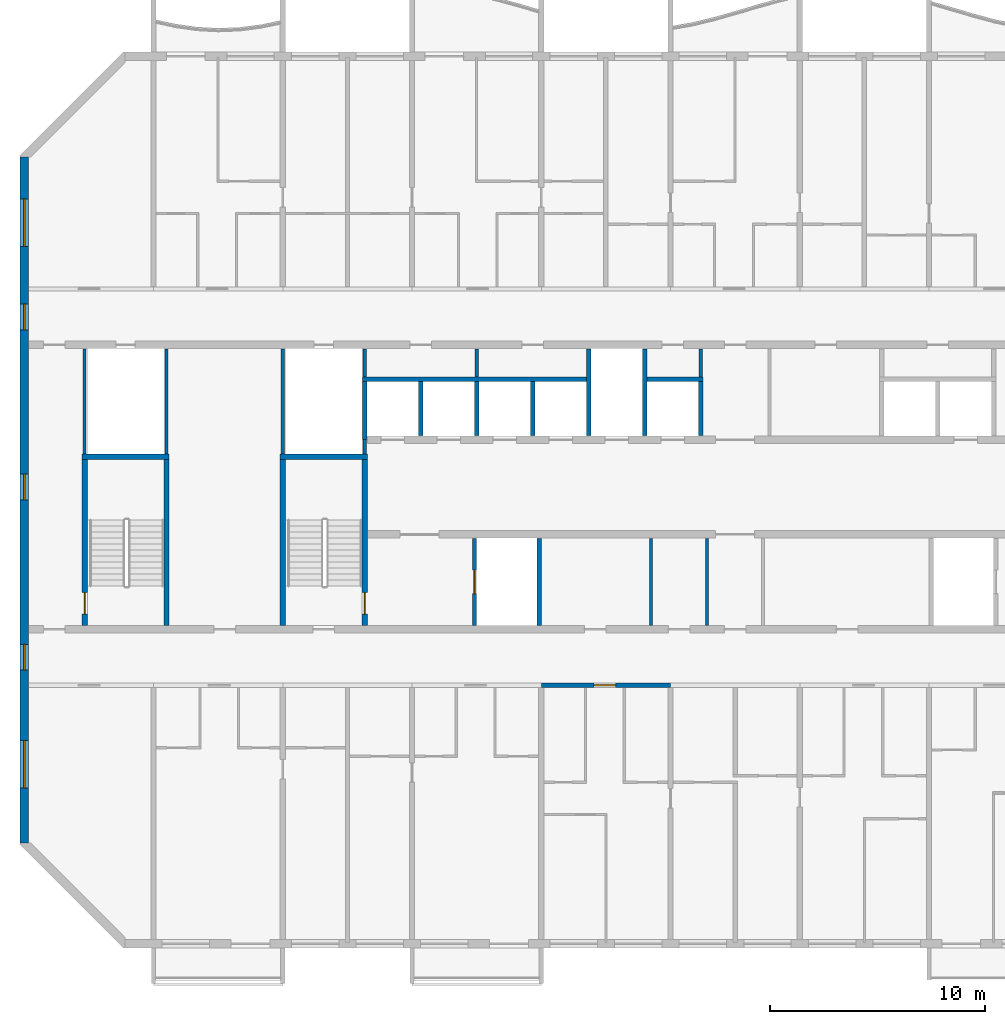
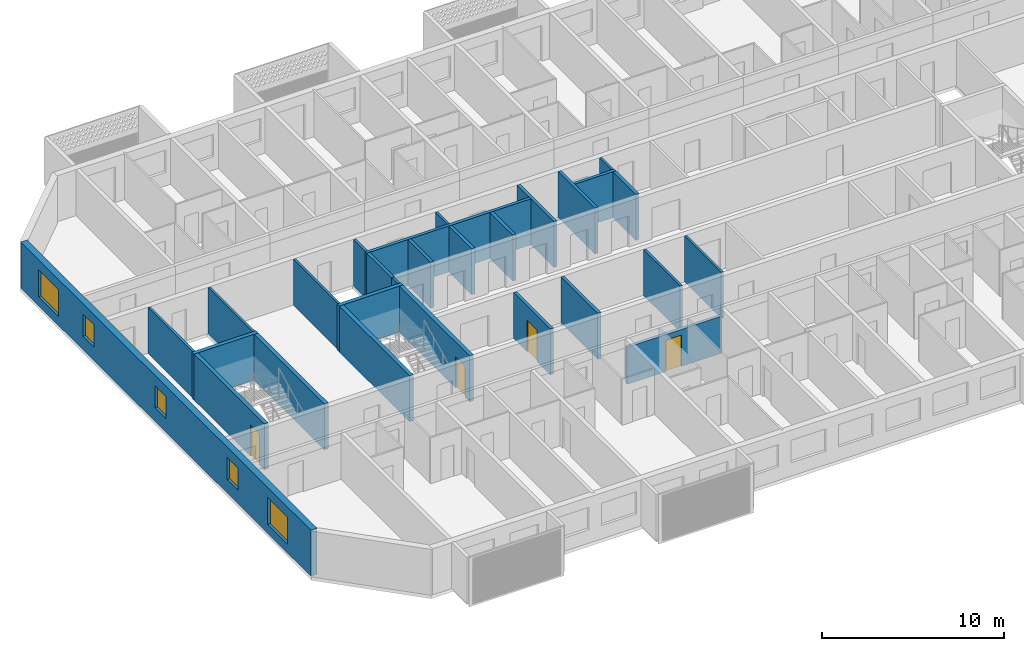
# One storey, part 3 of 26: 28 walls, 5 windows, 4 doors, 9 openings.
"""IFC4 building model written with IfcOpenShell, lengths in metres."""

from ifc_helpers import new_model, si_unit, direction, frame, frame_2d, origin, place, context, subcontext, project, spatial, rectangle, extrude, material, layer, layer_set, type_object, element, fill, save


model = new_model("IFC4")

# Units and contexts
model_context = context("Model", 3, precision=1e-05, world=origin(), true_north=direction((0.0, 1.0)))
body_context = subcontext(model_context, "Body", "Model", "MODEL_VIEW")
ifc_project = project(units=[si_unit("LENGTHUNIT", "METRE"), si_unit("AREAUNIT", "SQUARE_METRE"), si_unit("VOLUMEUNIT", "CUBIC_METRE"), si_unit("PLANEANGLEUNIT", "RADIAN"), si_unit("MASSUNIT", "GRAM", prefix="KILO")], contexts=[model_context])

# Site, building, storey
site_placement = place(None, origin())
site = spatial("IfcSite", under=ifc_project, at=site_placement, CompositionType="ELEMENT")
building_placement = place(site_placement, origin())
building = spatial("IfcBuilding", under=site, at=building_placement, Name="Poui Terraces", CompositionType="ELEMENT")
storey_placement = place(building_placement, frame((0.0, 0.0, 244.5)))
storey = spatial("IfcBuildingStorey", under=building, at=storey_placement, Name="L68", CompositionType="ELEMENT", Elevation=244.5)

# Walls
ifc_material_1 = material(Name="Fire-rated plasterboard wall")
ifc_layer_1 = layer(ifc_material_1, 0.14990234375)
ifc_layer_set_1 = layer_set([ifc_layer_1], Name="Fire-rated plasterboard wall")
wall_type_1 = type_object("IfcWallType", Name="CORRIDOR WALL 150", PredefinedType="PARTITIONING", material=ifc_layer_set_1)
wall_1_placement = place(storey_placement, frame((49.39990234375, 26.300048828125, 0.0), z_axis=(0.0, 0.0, 1.0), x_axis=(0.0, 1.0, 0.0)))
element("IfcWall", 1, at=wall_1_placement, inside=storey, type_object=wall_type_1, Name="CORRIDOR WALL 150", PredefinedType="PARTITIONING", context=body_context, shape_type="SweptSolid", body=[
    extrude(rectangle(XDim=1.31494140625, YDim=0.14990234375, at=frame_2d((0.657470703125, 0.0))), origin(), (0.0, 0.0, 1.0), 3.080078125),
])
wall_2_placement = place(storey_placement, frame((49.699951171875, 14.784912109375, 0.0), z_axis=(0.0, 0.0, 1.0), x_axis=(0.0, 1.0, 0.0)))
element("IfcWall", 2, at=wall_2_placement, inside=storey, type_object=wall_type_1, Name="CORRIDOR WALL 150", PredefinedType="PARTITIONING", context=body_context, shape_type="SweptSolid", body=[
    extrude(rectangle(XDim=4.030029296875, YDim=0.14990234375, at=frame_2d((2.01513671875, 0.0))), origin(), (0.0, 0.0, 1.0), 3.080078125),
])

# Wall, opening, door
ifc_material_2 = material(Name="Concrete 50 MPa", Category="concrete")
ifc_layer_2 = layer(ifc_material_2, 0.199951171875)
ifc_layer_set_2 = layer_set([ifc_layer_2], Name="Concrete 50 MPa")
wall_type_2 = type_object("IfcWallType", Name="CORRIDOR WALL 200 50MPa", PredefinedType="SHEAR", material=ifc_layer_set_2)
wall_3_placement = place(storey_placement, frame((42.0, 12.0, 0.0), z_axis=(0.0, 0.0, 1.0), x_axis=(1.0, 0.0, 0.0)))
wall_3 = element("IfcWall", 3, at=wall_3_placement, inside=storey, type_object=wall_type_2, Name="CORRIDOR WALL LINE B BAY 5", PredefinedType="SHEAR", context=body_context, shape_type="SweptSolid", body=[
    extrude(rectangle(XDim=6.0, YDim=0.199951171875, at=frame_2d((3.0, 0.0))), origin(), (0.0, 0.0, 1.0), 2.47998046875),
])
opening_1_placement = place(wall_3_placement, frame((2.449951171875, 0.0, 0.0)))
opening_1 = element("IfcOpeningElement", 4, at=opening_1_placement, cuts=wall_3, Name="Opening FD30S", PredefinedType="OPENING", context=body_context, shape_type="SweptSolid", body=[
    extrude(rectangle(XDim=1.0, YDim=2.10009765625, at=frame_2d((0.5, 1.050048828125))), frame((0.0, 0.10986328125, 0.0), z_axis=(0.0, -1.0, 0.0), x_axis=(1.0, 0.0, 0.0)), (0.0, 0.0, 1.0), 0.219970703125),
])
ifc_material_3 = material(Name="Steel fire door", Category="steel")
door_type_1 = type_object("IfcDoorType", Name="FLAT ENTRANCE DOOR 1000 X 2100", OperationType="NOTDEFINED", PredefinedType="DOOR", material=ifc_material_3)
door_1_placement = place(opening_1_placement, frame((1.0, 0.0, 0.0), z_axis=(0.0, 0.0, 1.0), x_axis=(-1.0, 0.0, 0.0)))
door_1 = element("IfcDoor", 5, at=door_1_placement, inside=storey, type_object=door_type_1, Name="FLAT ENTRANCE DOOR 075", OperationType="SINGLE_SWING_RIGHT", OverallHeight=2.10009765625, OverallWidth=1.0, PredefinedType="DOOR", context=body_context, shape_type="SweptSolid", body=[
    extrude(rectangle(XDim=1.0, YDim=2.10009765625, at=frame_2d((0.5, 1.050048828125))), frame((0.0, 0.02490234375, 0.0), z_axis=(0.0, -1.0, 0.0), x_axis=(1.0, 0.0, 0.0)), (0.0, 0.0, 1.0), 0.050048828125),
])
fill(opening_1, door_1)

# Wall, openings, windows
ifc_layer_3 = layer(ifc_material_2, 0.39990234375)
ifc_layer_set_3 = layer_set([ifc_layer_3], Name="Concrete 50 MPa")
wall_type_3 = type_object("IfcWallType", Name="END WALL 400 50MPa", PredefinedType="SHEAR", material=ifc_layer_set_3)
wall_4_placement = place(storey_placement, frame((18.0, 4.682861328125, 0.0), z_axis=(0.0, 0.0, 1.0), x_axis=(0.0, 1.0, 0.0)))
wall_4 = element("IfcWall", 6, at=wall_4_placement, inside=storey, type_object=wall_type_3, Name="END WALL WEST", PredefinedType="SHEAR", context=body_context, shape_type="SweptSolid", body=[
    extrude(rectangle(XDim=31.834228515625, YDim=0.39990234375, at=frame_2d((15.9169921875, 0.0))), origin(), (0.0, 0.0, 1.0), 3.080078125),
])
opening_2_placement = place(wall_4_placement, frame((23.817138671875, 0.0, 0.89990234375)))
opening_2 = element("IfcOpeningElement", 7, at=opening_2_placement, cuts=wall_4, Name="Opening W2", PredefinedType="OPENING", context=body_context, shape_type="SweptSolid", body=[
    extrude(rectangle(XDim=1.199951171875, YDim=1.5, at=frame_2d((0.60009765625, 0.75))), frame((0.0, 0.2099609375, 0.0), z_axis=(0.0, -1.0, 0.0), x_axis=(1.0, 0.0, 0.0)), (0.0, 0.0, 1.0), 0.419921875),
])
opening_3_placement = place(wall_4_placement, frame((8.01708984375, 0.0, 0.89990234375)))
opening_3 = element("IfcOpeningElement", 8, at=opening_3_placement, cuts=wall_4, Name="Opening W2", PredefinedType="OPENING", context=body_context, shape_type="SweptSolid", body=[
    extrude(rectangle(XDim=1.199951171875, YDim=1.5, at=frame_2d((0.60009765625, 0.75))), frame((0.0, 0.2099609375, 0.0), z_axis=(0.0, -1.0, 0.0), x_axis=(1.0, 0.0, 0.0)), (0.0, 0.0, 1.0), 0.419921875),
])
opening_4_placement = place(wall_4_placement, frame((27.693603515625, 0.0, 0.60009765625)))
opening_4 = element("IfcOpeningElement", 9, at=opening_4_placement, cuts=wall_4, Name="Opening W3", PredefinedType="OPENING", context=body_context, shape_type="SweptSolid", body=[
    extrude(rectangle(XDim=2.199951171875, YDim=1.800048828125, at=frame_2d((1.10009765625, 0.89990234375))), frame((0.0, 0.2099609375, 0.0), z_axis=(0.0, -1.0, 0.0), x_axis=(1.0, 0.0, 0.0)), (0.0, 0.0, 1.0), 0.419921875),
])
opening_5_placement = place(wall_4_placement, frame((2.541015625, 0.0, 0.60009765625)))
opening_5 = element("IfcOpeningElement", 10, at=opening_5_placement, cuts=wall_4, Name="Opening W3", PredefinedType="OPENING", context=body_context, shape_type="SweptSolid", body=[
    extrude(rectangle(XDim=2.199951171875, YDim=1.800048828125, at=frame_2d((1.10009765625, 0.89990234375))), frame((0.0, 0.2099609375, 0.0), z_axis=(0.0, -1.0, 0.0), x_axis=(1.0, 0.0, 0.0)), (0.0, 0.0, 1.0), 0.419921875),
])
opening_6_placement = place(wall_4_placement, frame((15.917236328125, 0.0, 0.89990234375)))
opening_6 = element("IfcOpeningElement", 11, at=opening_6_placement, cuts=wall_4, Name="Opening W2", PredefinedType="OPENING", context=body_context, shape_type="SweptSolid", body=[
    extrude(rectangle(XDim=1.199951171875, YDim=1.5, at=frame_2d((0.60009765625, 0.75))), frame((0.0, 0.2099609375, 0.0), z_axis=(0.0, -1.0, 0.0), x_axis=(1.0, 0.0, 0.0)), (0.0, 0.0, 1.0), 0.419921875),
])
ifc_material_4 = material(Name="Clear glass in aluminium frame", Category="aluminium")
window_type_1 = type_object("IfcWindowType", Name="WINDOW 1200X1500", PartitioningType="SINGLE_PANEL", PredefinedType="WINDOW", material=ifc_material_4)
window_1_placement = place(opening_2_placement, origin())
window_1 = element("IfcWindow", 12, at=window_1_placement, inside=storey, type_object=window_type_1, Name="W2 WINDOW", OverallHeight=1.5, OverallWidth=1.199951171875, PartitioningType="SINGLE_PANEL", PredefinedType="WINDOW", context=body_context, shape_type="SweptSolid", body=[
    extrude(rectangle(XDim=1.199951171875, YDim=1.5, at=frame_2d((0.60009765625, 0.75))), frame((0.0, 0.030029296875, 0.0), z_axis=(0.0, -1.0, 0.0), x_axis=(1.0, 0.0, 0.0)), (0.0, 0.0, 1.0), 0.06005859375),
])
fill(opening_2, window_1)
window_2_placement = place(opening_3_placement, origin())
window_2 = element("IfcWindow", 13, at=window_2_placement, inside=storey, type_object=window_type_1, Name="W2 WINDOW", OverallHeight=1.5, OverallWidth=1.199951171875, PartitioningType="SINGLE_PANEL", PredefinedType="WINDOW", context=body_context, shape_type="SweptSolid", body=[
    extrude(rectangle(XDim=1.199951171875, YDim=1.5, at=frame_2d((0.60009765625, 0.75))), frame((0.0, 0.030029296875, 0.0), z_axis=(0.0, -1.0, 0.0), x_axis=(1.0, 0.0, 0.0)), (0.0, 0.0, 1.0), 0.06005859375),
])
fill(opening_3, window_2)
window_3_placement = place(opening_6_placement, origin())
window_3 = element("IfcWindow", 14, at=window_3_placement, inside=storey, type_object=window_type_1, Name="W2 WINDOW", OverallHeight=1.5, OverallWidth=1.199951171875, PartitioningType="SINGLE_PANEL", PredefinedType="WINDOW", context=body_context, shape_type="SweptSolid", body=[
    extrude(rectangle(XDim=1.199951171875, YDim=1.5, at=frame_2d((0.60009765625, 0.75))), frame((0.0, 0.030029296875, 0.0), z_axis=(0.0, -1.0, 0.0), x_axis=(1.0, 0.0, 0.0)), (0.0, 0.0, 1.0), 0.06005859375),
])
fill(opening_6, window_3)
window_type_2 = type_object("IfcWindowType", Name="WINDOW 2200X1800", PartitioningType="DOUBLE_PANEL_HORIZONTAL", PredefinedType="WINDOW", material=ifc_material_4)
window_4_placement = place(opening_4_placement, origin())
window_4 = element("IfcWindow", 15, at=window_4_placement, inside=storey, type_object=window_type_2, Name="W3 WINDOW", OverallHeight=1.800048828125, OverallWidth=2.199951171875, PartitioningType="DOUBLE_PANEL_HORIZONTAL", PredefinedType="WINDOW", context=body_context, shape_type="SweptSolid", body=[
    extrude(rectangle(XDim=2.199951171875, YDim=1.800048828125, at=frame_2d((1.10009765625, 0.89990234375))), frame((0.0, 0.030029296875, 0.0), z_axis=(0.0, -1.0, 0.0), x_axis=(1.0, 0.0, 0.0)), (0.0, 0.0, 1.0), 0.06005859375),
])
fill(opening_4, window_4)
window_5_placement = place(opening_5_placement, origin())
window_5 = element("IfcWindow", 16, at=window_5_placement, inside=storey, type_object=window_type_2, Name="W3 WINDOW", OverallHeight=1.800048828125, OverallWidth=2.199951171875, PartitioningType="DOUBLE_PANEL_HORIZONTAL", PredefinedType="WINDOW", context=body_context, shape_type="SweptSolid", body=[
    extrude(rectangle(XDim=2.199951171875, YDim=1.800048828125, at=frame_2d((1.10009765625, 0.89990234375))), frame((0.0, 0.030029296875, 0.0), z_axis=(0.0, -1.0, 0.0), x_axis=(1.0, 0.0, 0.0)), (0.0, 0.0, 1.0), 0.06005859375),
])
fill(opening_5, window_5)

# Walls
ifc_material_5 = material(Name="Plasterboard partition")
ifc_layer_4 = layer(ifc_material_5, 0.14990234375)
ifc_layer_set_4 = layer_set([ifc_layer_4], Name="Plasterboard partition")
wall_type_4 = type_object("IfcWallType", Name="PARTITION WALL 150", PredefinedType="PARTITIONING", material=ifc_layer_set_4)
wall_5_placement = place(storey_placement, frame((39.0, 26.300048828125, 0.0), z_axis=(0.0, 0.0, 1.0), x_axis=(0.0, 1.0, 0.0)))
element("IfcWall", 17, at=wall_5_placement, inside=storey, type_object=wall_type_4, Name="PARTITION WALL 150", PredefinedType="PARTITIONING", context=body_context, shape_type="SweptSolid", body=[
    extrude(rectangle(XDim=1.31494140625, YDim=0.14990234375, at=frame_2d((0.657470703125, 0.0))), origin(), (0.0, 0.0, 1.0), 3.080078125),
])
wall_6_placement = place(storey_placement, frame((47.10009765625, 14.784912109375, 0.0), z_axis=(0.0, 0.0, 1.0), x_axis=(0.0, 1.0, 0.0)))
element("IfcWall", 18, at=wall_6_placement, inside=storey, type_object=wall_type_4, Name="PARTITION WALL 150", PredefinedType="PARTITIONING", context=body_context, shape_type="SweptSolid", body=[
    extrude(rectangle(XDim=4.030029296875, YDim=0.14990234375, at=frame_2d((2.01513671875, 0.0))), origin(), (0.0, 0.0, 1.0), 3.080078125),
])
ifc_material_6 = material(Name="Fire-rated plasterboard riser wall")
ifc_layer_5 = layer(ifc_material_6, 0.14990234375)
ifc_layer_set_5 = layer_set([ifc_layer_5], Name="Fire-rated plasterboard riser wall")
wall_type_5 = type_object("IfcWallType", Name="RISER WALL 150", PredefinedType="PARTITIONING", material=ifc_layer_set_5)
for number, where, z_axis, x_axis, name in (
    (19, (20.800048828125, 22.735107421875, 0.0), (0.0, 0.0, 1.0), (0.0, 1.0, 0.0), "RISER WALL 150"),
    (20, (24.60009765625, 22.735107421875, 0.0), (0.0, 0.0, 1.0), (0.0, 1.0, 0.0), "RISER WALL 150"),
    (21, (30.0, 22.735107421875, 0.0), (0.0, 0.0, 1.0), (0.0, 1.0, 0.0), "RISER WALL 150"),
):
    element("IfcWall", number, at=place(storey_placement, frame(where, z_axis=z_axis, x_axis=x_axis)), inside=storey, type_object=wall_type_5, Name=name, PredefinedType="PARTITIONING", context=body_context, shape_type="SweptSolid", body=[
        extrude(rectangle(XDim=4.8798828125, YDim=0.14990234375, at=frame_2d((2.43994140625, 0.0))), origin(), (0.0, 0.0, 1.0), 3.080078125),
    ])
wall_7_placement = place(storey_placement, frame((33.800048828125, 22.735107421875, 0.0), z_axis=(0.0, 0.0, 1.0), x_axis=(0.0, 1.0, 0.0)))
element("IfcWall", 22, at=wall_7_placement, inside=storey, type_object=wall_type_5, Name="RISER WALL 150", PredefinedType="PARTITIONING", context=body_context, shape_type="SweptSolid", body=[
    extrude(rectangle(XDim=0.664794921875, YDim=0.14990234375, at=frame_2d((0.33251953125, 0.0))), origin(), (0.0, 0.0, 1.0), 3.080078125),
])
wall_8_placement = place(storey_placement, frame((33.800048828125, 26.300048828125, 0.0), z_axis=(0.0, 0.0, 1.0), x_axis=(0.0, 1.0, 0.0)))
element("IfcWall", 23, at=wall_8_placement, inside=storey, type_object=wall_type_5, Name="RISER WALL 150", PredefinedType="PARTITIONING", context=body_context, shape_type="SweptSolid", body=[
    extrude(rectangle(XDim=1.31494140625, YDim=0.14990234375, at=frame_2d((0.657470703125, 0.0))), origin(), (0.0, 0.0, 1.0), 3.080078125),
])
ifc_material_7 = material(Name="Fire-rated masonry shaft wall", Category="masonry")
ifc_layer_6 = layer(ifc_material_7, 0.199951171875)
ifc_layer_set_6 = layer_set([ifc_layer_6], Name="Fire-rated masonry shaft wall")
wall_type_6 = type_object("IfcWallType", Name="SHAFT WALL 200", PredefinedType="PARTITIONING", material=ifc_layer_set_6)
wall_9_placement = place(storey_placement, frame((33.699951171875, 26.199951171875, 0.0), z_axis=(0.0, 0.0, 1.0), x_axis=(1.0, 0.0, 0.0)))
element("IfcWall", 24, at=wall_9_placement, inside=storey, type_object=wall_type_6, Name="SHAFT WALL 200", PredefinedType="PARTITIONING", context=body_context, shape_type="SweptSolid", body=[
    extrude(rectangle(XDim=10.400146484375, YDim=0.199951171875, at=frame_2d((5.2001953125, 0.0))), origin(), (0.0, 0.0, 1.0), 3.080078125),
])
wall_10_placement = place(storey_placement, frame((46.89990234375, 26.199951171875, 0.0), z_axis=(0.0, 0.0, 1.0), x_axis=(1.0, 0.0, 0.0)))
element("IfcWall", 25, at=wall_10_placement, inside=storey, type_object=wall_type_6, Name="SHAFT WALL 200", PredefinedType="PARTITIONING", context=body_context, shape_type="SweptSolid", body=[
    extrude(rectangle(XDim=2.60009765625, YDim=0.199951171875, at=frame_2d((1.300048828125, 0.0))), origin(), (0.0, 0.0, 1.0), 3.080078125),
])
wall_11_placement = place(storey_placement, frame((33.800048828125, 23.39990234375, 0.0), z_axis=(0.0, 0.0, 1.0), x_axis=(0.0, 1.0, 0.0)))
element("IfcWall", 26, at=wall_11_placement, inside=storey, type_object=wall_type_6, Name="SHAFT WALL 200", PredefinedType="PARTITIONING", context=body_context, shape_type="SweptSolid", body=[
    extrude(rectangle(XDim=2.7001953125, YDim=0.199951171875, at=frame_2d((1.35009765625, 0.0))), origin(), (0.0, 0.0, 1.0), 3.080078125),
])
wall_12_placement = place(storey_placement, frame((36.39990234375, 23.5849609375, 0.0), z_axis=(0.0, 0.0, 1.0), x_axis=(0.0, 1.0, 0.0)))
element("IfcWall", 27, at=wall_12_placement, inside=storey, type_object=wall_type_6, Name="SHAFT WALL 200", PredefinedType="PARTITIONING", context=body_context, shape_type="SweptSolid", body=[
    extrude(rectangle(XDim=2.51513671875, YDim=0.199951171875, at=frame_2d((1.257568359375, 0.0))), origin(), (0.0, 0.0, 1.0), 3.080078125),
])

# Wall, opening, door
wall_13_placement = place(storey_placement, frame((38.89990234375, 14.784912109375, 0.0), z_axis=(0.0, 0.0, 1.0), x_axis=(0.0, 1.0, 0.0)))
wall_13 = element("IfcWall", 28, at=wall_13_placement, inside=storey, type_object=wall_type_6, Name="SHAFT WALL 200", PredefinedType="PARTITIONING", context=body_context, shape_type="SweptSolid", body=[
    extrude(rectangle(XDim=4.030029296875, YDim=0.199951171875, at=frame_2d((2.01513671875, 0.0))), origin(), (0.0, 0.0, 1.0), 3.080078125),
])
opening_7_placement = place(wall_13_placement, frame((1.465087890625, 0.0, 0.0)))
opening_7 = element("IfcOpeningElement", 29, at=opening_7_placement, cuts=wall_13, Name="Opening LD", PredefinedType="OPENING", context=body_context, shape_type="SweptSolid", body=[
    extrude(rectangle(XDim=1.10009765625, YDim=2.10009765625, at=frame_2d((0.550048828125, 1.050048828125))), frame((0.0, 0.10986328125, 0.0), z_axis=(0.0, -1.0, 0.0), x_axis=(1.0, 0.0, 0.0)), (0.0, 0.0, 1.0), 0.219970703125),
])
ifc_material_8 = material(Name="Stainless steel sliding door", Category="steel")
door_type_2 = type_object("IfcDoorType", Name="LIFT LANDING DOOR 1100 X 2100", OperationType="DOUBLE_DOOR_SLIDING", PredefinedType="DOOR", material=ifc_material_8)
door_2_placement = place(opening_7_placement, origin())
door_2 = element("IfcDoor", 30, at=door_2_placement, inside=storey, type_object=door_type_2, Name="LANDING DOOR", OperationType="DOUBLE_DOOR_SLIDING", OverallHeight=2.10009765625, OverallWidth=1.10009765625, PredefinedType="DOOR", context=body_context, shape_type="SweptSolid", body=[
    extrude(rectangle(XDim=1.10009765625, YDim=2.10009765625, at=frame_2d((0.550048828125, 1.050048828125))), frame((0.0, 0.02490234375, 0.0), z_axis=(0.0, -1.0, 0.0), x_axis=(1.0, 0.0, 0.0)), (0.0, 0.0, 1.0), 0.050048828125),
])
fill(opening_7, door_2)

# Walls
for number, where, z_axis, x_axis, name in (
    (31, (39.0, 23.5849609375, 0.0), (0.0, 0.0, 1.0), (0.0, 1.0, 0.0), "SHAFT WALL 200"),
    (32, (41.60009765625, 23.5849609375, 0.0), (0.0, 0.0, 1.0), (0.0, 1.0, 0.0), "SHAFT WALL 200"),
):
    element("IfcWall", number, at=place(storey_placement, frame(where, z_axis=z_axis, x_axis=x_axis)), inside=storey, type_object=wall_type_6, Name=name, PredefinedType="PARTITIONING", context=body_context, shape_type="SweptSolid", body=[
        extrude(rectangle(XDim=2.51513671875, YDim=0.199951171875, at=frame_2d((1.257568359375, 0.0))), origin(), (0.0, 0.0, 1.0), 3.080078125),
    ])
for number, where, z_axis, x_axis, name in (
    (33, (41.89990234375, 14.784912109375, 0.0), (0.0, 0.0, 1.0), (0.0, 1.0, 0.0), "SHAFT WALL 200"),
    (34, (44.199951171875, 23.5849609375, 0.0), (0.0, 0.0, 1.0), (0.0, 1.0, 0.0), "SHAFT WALL 200"),
    (35, (46.800048828125, 23.5849609375, 0.0), (0.0, 0.0, 1.0), (0.0, 1.0, 0.0), "SHAFT WALL 200"),
):
    element("IfcWall", number, at=place(storey_placement, frame(where, z_axis=z_axis, x_axis=x_axis)), inside=storey, type_object=wall_type_6, Name=name, PredefinedType="PARTITIONING", context=body_context, shape_type="SweptSolid", body=[
        extrude(rectangle(XDim=4.030029296875, YDim=0.199951171875, at=frame_2d((2.01513671875, 0.0))), origin(), (0.0, 0.0, 1.0), 3.080078125),
    ])
wall_14_placement = place(storey_placement, frame((49.39990234375, 23.5849609375, 0.0), z_axis=(0.0, 0.0, 1.0), x_axis=(0.0, 1.0, 0.0)))
element("IfcWall", 36, at=wall_14_placement, inside=storey, type_object=wall_type_6, Name="SHAFT WALL 200", PredefinedType="PARTITIONING", context=body_context, shape_type="SweptSolid", body=[
    extrude(rectangle(XDim=2.51513671875, YDim=0.199951171875, at=frame_2d((1.257568359375, 0.0))), origin(), (0.0, 0.0, 1.0), 3.080078125),
])
ifc_layer_7 = layer(ifc_material_2, 0.25)
ifc_layer_set_7 = layer_set([ifc_layer_7], Name="Concrete 50 MPa")
wall_type_7 = type_object("IfcWallType", Name="STAIR CORE WALL 250 50 MPA", PredefinedType="SOLIDWALL", material=ifc_layer_set_7)
wall_15_placement = place(storey_placement, frame((30.0, 14.77490234375, 0.0), z_axis=(0.0, 0.0, 1.0), x_axis=(0.0, 1.0, 0.0)))
element("IfcWall", 37, at=wall_15_placement, inside=storey, type_object=wall_type_7, Name="STAIR CORE WALL", PredefinedType="SOLIDWALL", context=body_context, shape_type="SweptSolid", body=[
    extrude(rectangle(XDim=7.7001953125, YDim=0.25, at=frame_2d((3.85009765625, 0.0))), origin(), (0.0, 0.0, 1.0), 3.080078125),
])

# Wall, opening, door
wall_16_placement = place(storey_placement, frame((33.800048828125, 14.77490234375, 0.0), z_axis=(0.0, 0.0, 1.0), x_axis=(0.0, 1.0, 0.0)))
wall_16 = element("IfcWall", 38, at=wall_16_placement, inside=storey, type_object=wall_type_7, Name="STAIR CORE WALL", PredefinedType="SOLIDWALL", context=body_context, shape_type="SweptSolid", body=[
    extrude(rectangle(XDim=7.7001953125, YDim=0.25, at=frame_2d((3.85009765625, 0.0))), origin(), (0.0, 0.0, 1.0), 3.080078125),
])
opening_8_placement = place(wall_16_placement, frame((0.52490234375, 0.0, 0.0)))
opening_8 = element("IfcOpeningElement", 39, at=opening_8_placement, cuts=wall_16, Name="Opening FD60S", PredefinedType="OPENING", context=body_context, shape_type="SweptSolid", body=[
    extrude(rectangle(XDim=1.0, YDim=2.10009765625, at=frame_2d((0.5, 1.050048828125))), frame((0.0, 0.135009765625, 0.0), z_axis=(0.0, -1.0, 0.0), x_axis=(1.0, 0.0, 0.0)), (0.0, 0.0, 1.0), 0.27001953125),
])
door_type_3 = type_object("IfcDoorType", Name="STAIR DOOR 1000 X 2100", OperationType="NOTDEFINED", PredefinedType="DOOR", material=ifc_material_3)
door_3_placement = place(opening_8_placement, origin())
door_3 = element("IfcDoor", 40, at=door_3_placement, inside=storey, type_object=door_type_3, Name="STAIR DOOR 097", OperationType="SINGLE_SWING_LEFT", OverallHeight=2.10009765625, OverallWidth=1.0, PredefinedType="DOOR", context=body_context, shape_type="SweptSolid", body=[
    extrude(rectangle(XDim=1.0, YDim=2.10009765625, at=frame_2d((0.5, 1.050048828125))), frame((0.0, 0.02490234375, 0.0), z_axis=(0.0, -1.0, 0.0), x_axis=(1.0, 0.0, 0.0)), (0.0, 0.0, 1.0), 0.050048828125),
])
fill(opening_8, door_3)

# Wall
wall_17_placement = place(storey_placement, frame((29.875, 22.60009765625, 0.0), z_axis=(0.0, 0.0, 1.0), x_axis=(1.0, 0.0, 0.0)))
element("IfcWall", 41, at=wall_17_placement, inside=storey, type_object=wall_type_7, Name="STAIR CORE WALL", PredefinedType="SOLIDWALL", context=body_context, shape_type="SweptSolid", body=[
    extrude(rectangle(XDim=4.050048828125, YDim=0.25, at=frame_2d((2.02490234375, 0.0))), origin(), (0.0, 0.0, 1.0), 3.080078125),
])

# Wall, opening, door
wall_18_placement = place(storey_placement, frame((20.800048828125, 14.77490234375, 0.0), z_axis=(0.0, 0.0, 1.0), x_axis=(0.0, 1.0, 0.0)))
wall_18 = element("IfcWall", 42, at=wall_18_placement, inside=storey, type_object=wall_type_7, Name="STAIR CORE WALL", PredefinedType="SOLIDWALL", context=body_context, shape_type="SweptSolid", body=[
    extrude(rectangle(XDim=7.7001953125, YDim=0.25, at=frame_2d((3.85009765625, 0.0))), origin(), (0.0, 0.0, 1.0), 3.080078125),
])
opening_9_placement = place(wall_18_placement, frame((0.52490234375, 0.0, 0.0)))
opening_9 = element("IfcOpeningElement", 43, at=opening_9_placement, cuts=wall_18, Name="Opening FD60S", PredefinedType="OPENING", context=body_context, shape_type="SweptSolid", body=[
    extrude(rectangle(XDim=1.0, YDim=2.10009765625, at=frame_2d((0.5, 1.050048828125))), frame((0.0, 0.135009765625, 0.0), z_axis=(0.0, -1.0, 0.0), x_axis=(1.0, 0.0, 0.0)), (0.0, 0.0, 1.0), 0.27001953125),
])
door_4_placement = place(opening_9_placement, frame((1.0, 0.0, 0.0), z_axis=(0.0, 0.0, 1.0), x_axis=(-1.0, 0.0, 0.0)))
door_4 = element("IfcDoor", 44, at=door_4_placement, inside=storey, type_object=door_type_3, Name="STAIR DOOR 111", OperationType="SINGLE_SWING_RIGHT", OverallHeight=2.10009765625, OverallWidth=1.0, PredefinedType="DOOR", context=body_context, shape_type="SweptSolid", body=[
    extrude(rectangle(XDim=1.0, YDim=2.10009765625, at=frame_2d((0.5, 1.050048828125))), frame((0.0, 0.02490234375, 0.0), z_axis=(0.0, -1.0, 0.0), x_axis=(1.0, 0.0, 0.0)), (0.0, 0.0, 1.0), 0.050048828125),
])
fill(opening_9, door_4)

# Walls
wall_19_placement = place(storey_placement, frame((24.60009765625, 14.77490234375, 0.0), z_axis=(0.0, 0.0, 1.0), x_axis=(0.0, 1.0, 0.0)))
element("IfcWall", 45, at=wall_19_placement, inside=storey, type_object=wall_type_7, Name="STAIR CORE WALL", PredefinedType="SOLIDWALL", context=body_context, shape_type="SweptSolid", body=[
    extrude(rectangle(XDim=7.7001953125, YDim=0.25, at=frame_2d((3.85009765625, 0.0))), origin(), (0.0, 0.0, 1.0), 3.080078125),
])
wall_20_placement = place(storey_placement, frame((20.675048828125, 22.60009765625, 0.0), z_axis=(0.0, 0.0, 1.0), x_axis=(1.0, 0.0, 0.0)))
element("IfcWall", 46, at=wall_20_placement, inside=storey, type_object=wall_type_7, Name="STAIR CORE WALL", PredefinedType="SOLIDWALL", context=body_context, shape_type="SweptSolid", body=[
    extrude(rectangle(XDim=4.050048828125, YDim=0.25, at=frame_2d((2.02490234375, 0.0))), origin(), (0.0, 0.0, 1.0), 3.080078125),
])

save(model, "model.ifc")
